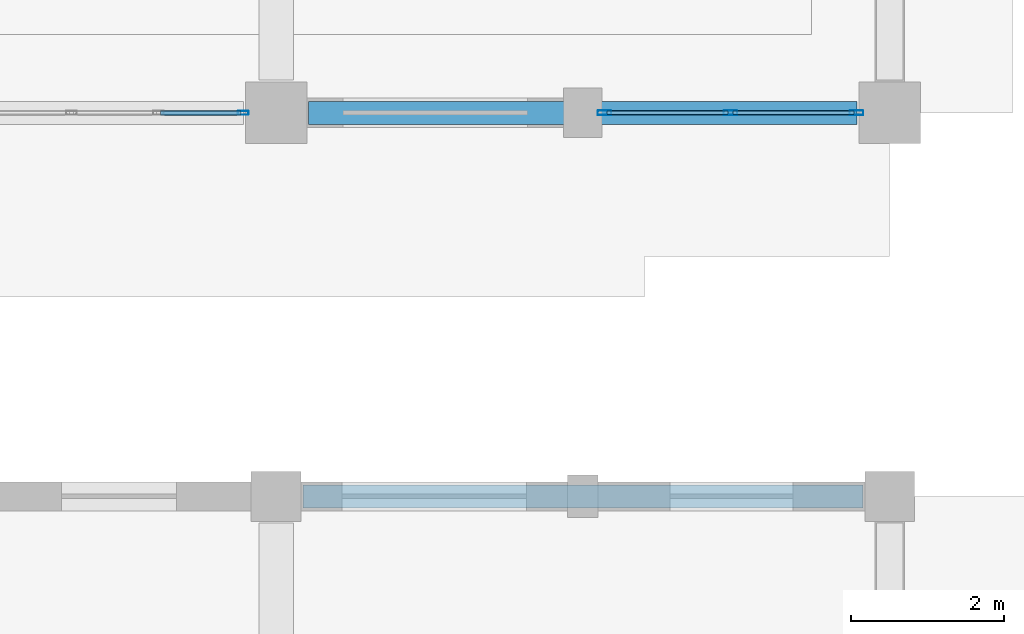
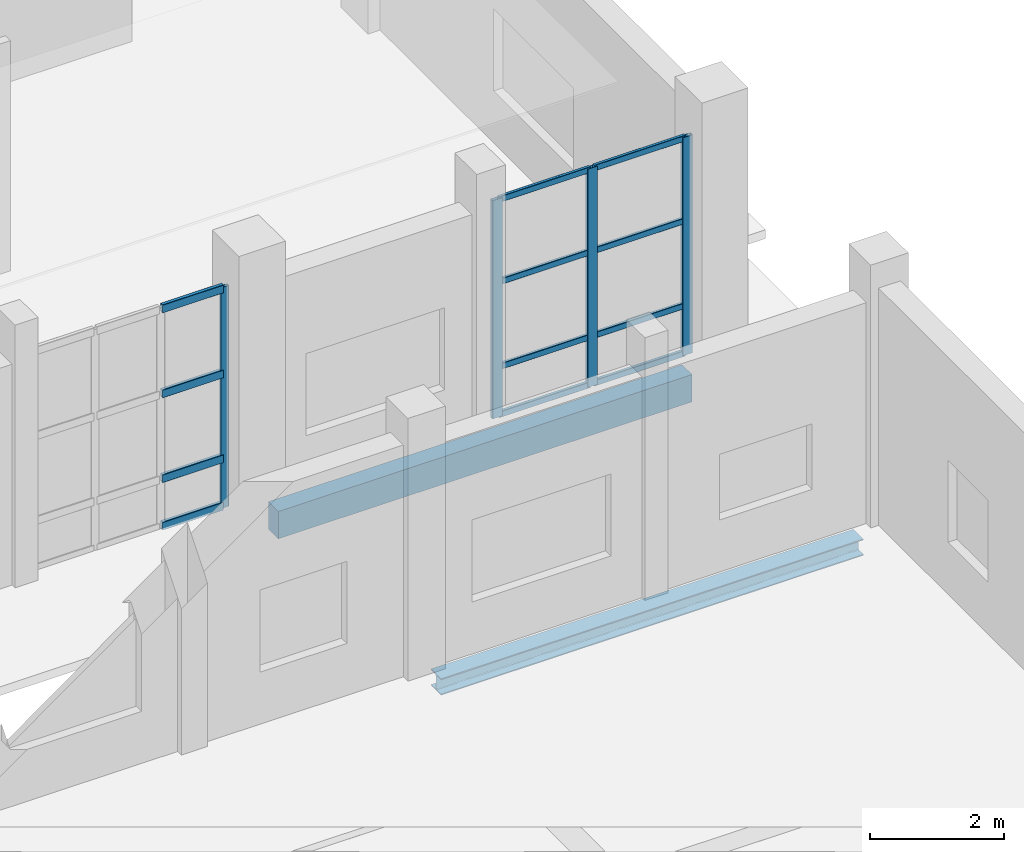
# One storey, part 96 of 156: 16 members, 2 beams, 2 elements without a shape of their own.
"""IFC4 building model written with IfcOpenShell, lengths in metres."""

from ifc_helpers import new_model, si_unit, direction, frame, origin, origin_2d, place, context, subcontext, project, spatial, rectangle, hollow_rectangle, i_section, extrude, material, material_profile, profile_set, type_object, element, aggregate, save


model = new_model("IFC4")

# Units and contexts
model_context = context("Model", 3, precision=1e-05, world=origin(), true_north=direction((0.0, 1.0)))
body_context = subcontext(model_context, "Body", "Model", "MODEL_VIEW")
ifc_project = project(units=[si_unit("LENGTHUNIT", "METRE"), si_unit("AREAUNIT", "SQUARE_METRE"), si_unit("VOLUMEUNIT", "CUBIC_METRE"), si_unit("PLANEANGLEUNIT", "RADIAN"), si_unit("MASSUNIT", "GRAM", prefix="KILO")], contexts=[model_context])

# Site, building, storey
site_placement = place(None, origin())
site = spatial("IfcSite", under=ifc_project, at=site_placement, CompositionType="ELEMENT")
building_placement = place(site_placement, origin())
building = spatial("IfcBuilding", under=site, at=building_placement, Name="Luwemba Playhouse", CompositionType="ELEMENT")
storey_placement = place(building_placement, origin())
storey = spatial("IfcBuildingStorey", under=building, at=storey_placement, Name="L00", CompositionType="ELEMENT", Elevation=0.0)

# Beams
ifc_material_1 = material(Name="Concrete C40/50", Category="concrete")
ifc_material_profile_1 = material_profile(ifc_material_1, rectangle(XDim=0.300048828125, YDim=0.5, at=origin_2d()))
ifc_profile_set_1 = profile_set([ifc_material_profile_1], Name="Concrete C40/50")
beam_type_1 = type_object("IfcBeamType", Name="BM-SP1", PredefinedType="SPANDREL", material=ifc_profile_set_1)
beam_1_placement = place(storey_placement, frame((164.425048828125, 95.0, -0.550048828125), z_axis=(1.0, 0.0, 0.0), x_axis=(0.0, 1.0, 0.0)))
element("IfcBeam", 1, at=beam_1_placement, inside=storey, type_object=beam_type_1, Name="L00 grid girder 0304", PredefinedType="SPANDREL", context=body_context, shape_type="SweptSolid", body=[
    extrude(rectangle(XDim=0.300048828125, YDim=0.5, at=origin_2d()), origin(), (0.0, 0.0, 1.0), 7.14990234375),
])
ifc_material_2 = material(Name="Steel S355", Category="steel")
ifc_material_profile_2 = material_profile(ifc_material_2, i_section(OverallWidth=0.300048828125, OverallDepth=0.300048828125, WebThickness=0.010986328125, FlangeThickness=0.01904296875, FilletRadius=0.027099609375, at=origin_2d()))
ifc_profile_set_2 = profile_set([ifc_material_profile_2], Name="Steel S355")
beam_type_2 = type_object("IfcBeamType", Name="BM-SSP1", PredefinedType="SPANDREL", material=ifc_profile_set_2)
beam_2_placement = place(storey_placement, frame((164.35009765625, 90.0, -0.449951171875), z_axis=(1.0, 0.0, 0.0), x_axis=(0.0, 1.0, 0.0)))
element("IfcBeam", 2, at=beam_2_placement, inside=storey, type_object=beam_type_2, Name="L00 grid girder 0131", PredefinedType="SPANDREL", context=body_context, shape_type="SweptSolid", body=[
    extrude(i_section(OverallWidth=0.300048828125, OverallDepth=0.300048828125, WebThickness=0.010986328125, FlangeThickness=0.01904296875, FilletRadius=0.027099609375, at=origin_2d()), origin(), (0.0, 0.0, 1.0), 7.2998046875),
])

# Curtain wall, members
ifc_material_3 = material(Name="Solar-control double glazing", Category="glass")
curtain_wall_type_1 = type_object("IfcCurtainWallType", Name="CW-CW69", PredefinedType="USERDEFINED", material=ifc_material_3)
curtain_wall_1_placement = place(storey_placement, origin())
curtain_wall_1 = element("IfcCurtainWall", 3, at=curtain_wall_1_placement, inside=storey, type_object=curtain_wall_type_1, Name="L00 V6E unitised curtain wall 088", ObjectType="UNITISED GLAZING", PredefinedType="USERDEFINED")
ifc_material_4 = material(Name="Aluminium 6063-T6", Category="aluminium")
ifc_material_profile_3 = material_profile(ifc_material_4, hollow_rectangle(XDim=0.06494140625, YDim=0.179931640625, WallThickness=0.00439453125, InnerFilletRadius=0.0068359375, OuterFilletRadius=0.01123046875, at=origin_2d()))
ifc_profile_set_3 = profile_set([ifc_material_profile_3], Name="Aluminium 6063-T6")
member_type_1 = type_object("IfcMemberType", Name="CWM-M2", PredefinedType="MULLION", material=ifc_profile_set_3)
member_1_placement = place(storey_placement, frame((171.5673828125, 95.0, 0.0), z_axis=(0.0, 0.0, 1.0), x_axis=(0.0, -1.0, 0.0)))
member_1 = element("IfcMember", 4, at=member_1_placement, type_object=member_type_1, Name="CW69 mullion 1", PredefinedType="MULLION", context=body_context, shape_type="SweptSolid", body=[
    extrude(hollow_rectangle(XDim=0.06494140625, YDim=0.179931640625, WallThickness=0.00439453125, InnerFilletRadius=0.0068359375, OuterFilletRadius=0.01123046875, at=origin_2d()), origin(), (0.0, 0.0, 1.0), 3.985107421875),
])
member_2_placement = place(storey_placement, frame((169.925048828125, 95.0, 0.0), z_axis=(0.0, 0.0, 1.0), x_axis=(0.0, -1.0, 0.0)))
member_2 = element("IfcMember", 5, at=member_2_placement, type_object=member_type_1, Name="CW69 mullion 2", PredefinedType="MULLION", context=body_context, shape_type="SweptSolid", body=[
    extrude(hollow_rectangle(XDim=0.06494140625, YDim=0.179931640625, WallThickness=0.00439453125, InnerFilletRadius=0.0068359375, OuterFilletRadius=0.01123046875, at=origin_2d()), origin(), (0.0, 0.0, 1.0), 3.985107421875),
])
member_3_placement = place(storey_placement, frame((168.282470703125, 95.0, 0.0), z_axis=(0.0, 0.0, 1.0), x_axis=(0.0, -1.0, 0.0)))
member_3 = element("IfcMember", 6, at=member_3_placement, type_object=member_type_1, Name="CW69 mullion 3", PredefinedType="MULLION", context=body_context, shape_type="SweptSolid", body=[
    extrude(hollow_rectangle(XDim=0.06494140625, YDim=0.179931640625, WallThickness=0.00439453125, InnerFilletRadius=0.0068359375, OuterFilletRadius=0.01123046875, at=origin_2d()), origin(), (0.0, 0.0, 1.0), 3.985107421875),
])

# Curtain wall, member
curtain_wall_type_2 = type_object("IfcCurtainWallType", Name="CW-CW30", PredefinedType="USERDEFINED", material=ifc_material_3)
curtain_wall_2_placement = place(storey_placement, origin())
curtain_wall_2 = element("IfcCurtainWall", 7, at=curtain_wall_2_placement, inside=storey, type_object=curtain_wall_type_2, Name="L00 V6E unitised curtain wall 089", ObjectType="UNITISED GLAZING", PredefinedType="USERDEFINED")
ifc_material_profile_4 = material_profile(ifc_material_4, hollow_rectangle(XDim=0.054931640625, YDim=0.139892578125, WallThickness=0.00390625, InnerFilletRadius=0.006103515625, OuterFilletRadius=0.010009765625, at=origin_2d()))
ifc_profile_set_4 = profile_set([ifc_material_profile_4], Name="Aluminium 6063-T6")
member_type_2 = type_object("IfcMemberType", Name="CWM-M3", PredefinedType="MULLION", material=ifc_profile_set_4)
member_4_placement = place(storey_placement, frame((163.572509765625, 95.0, 0.0), z_axis=(0.0, 0.0, 1.0), x_axis=(0.0, -1.0, 0.0)))
member_4 = element("IfcMember", 8, at=member_4_placement, type_object=member_type_2, Name="CW30 mullion 1", PredefinedType="MULLION", context=body_context, shape_type="SweptSolid", body=[
    extrude(hollow_rectangle(XDim=0.054931640625, YDim=0.139892578125, WallThickness=0.00390625, InnerFilletRadius=0.006103515625, OuterFilletRadius=0.010009765625, at=origin_2d()), origin(), (0.0, 0.0, 1.0), 4.034912109375),
])

# Member
ifc_material_profile_5 = material_profile(ifc_material_4, hollow_rectangle(XDim=0.054931640625, YDim=0.110107421875, WallThickness=0.00341796875, InnerFilletRadius=0.00537109375, OuterFilletRadius=0.0087890625, at=origin_2d()))
ifc_profile_set_5 = profile_set([ifc_material_profile_5], Name="Aluminium 6063-T6")
member_type_3 = type_object("IfcMemberType", Name="CWT-T2", PredefinedType="USERDEFINED", material=ifc_profile_set_5)
member_5_placement = place(storey_placement, frame((171.534912109375, 95.0, 0.027587890625), z_axis=(-1.0, 0.0, 0.0), x_axis=(0.0, -1.0, 0.0)))
member_5 = element("IfcMember", 9, at=member_5_placement, type_object=member_type_3, Name="CW69 transom 1.1", ObjectType="TRANSOM", PredefinedType="USERDEFINED", context=body_context, shape_type="SweptSolid", body=[
    extrude(hollow_rectangle(XDim=0.054931640625, YDim=0.110107421875, WallThickness=0.00341796875, InnerFilletRadius=0.00537109375, OuterFilletRadius=0.0087890625, at=origin_2d()), origin(), (0.0, 0.0, 1.0), 1.577392578125),
])

member_6_placement = place(storey_placement, frame((171.534912109375, 95.0, 0.89990234375), z_axis=(-1.0, 0.0, 0.0), x_axis=(0.0, -1.0, 0.0)))
member_6 = element("IfcMember", 10, at=member_6_placement, type_object=member_type_3, Name="CW69 transom 1.2", ObjectType="TRANSOM", PredefinedType="USERDEFINED", context=body_context, shape_type="SweptSolid", body=[
    extrude(hollow_rectangle(XDim=0.054931640625, YDim=0.110107421875, WallThickness=0.00341796875, InnerFilletRadius=0.00537109375, OuterFilletRadius=0.0087890625, at=origin_2d()), origin(), (0.0, 0.0, 1.0), 1.577392578125),
])

member_7_placement = place(storey_placement, frame((171.534912109375, 95.0, 2.449951171875), z_axis=(-1.0, 0.0, 0.0), x_axis=(0.0, -1.0, 0.0)))
member_7 = element("IfcMember", 11, at=member_7_placement, type_object=member_type_3, Name="CW69 transom 1.3", ObjectType="TRANSOM", PredefinedType="USERDEFINED", context=body_context, shape_type="SweptSolid", body=[
    extrude(hollow_rectangle(XDim=0.054931640625, YDim=0.110107421875, WallThickness=0.00341796875, InnerFilletRadius=0.00537109375, OuterFilletRadius=0.0087890625, at=origin_2d()), origin(), (0.0, 0.0, 1.0), 1.577392578125),
])

member_8_placement = place(storey_placement, frame((171.534912109375, 95.0, 3.95751953125), z_axis=(-1.0, 0.0, 0.0), x_axis=(0.0, -1.0, 0.0)))
member_8 = element("IfcMember", 12, at=member_8_placement, type_object=member_type_3, Name="CW69 transom 1.4", ObjectType="TRANSOM", PredefinedType="USERDEFINED", context=body_context, shape_type="SweptSolid", body=[
    extrude(hollow_rectangle(XDim=0.054931640625, YDim=0.110107421875, WallThickness=0.00341796875, InnerFilletRadius=0.00537109375, OuterFilletRadius=0.0087890625, at=origin_2d()), origin(), (0.0, 0.0, 1.0), 1.577392578125),
])

member_9_placement = place(storey_placement, frame((169.892578125, 95.0, 0.027587890625), z_axis=(-1.0, 0.0, 0.0), x_axis=(0.0, -1.0, 0.0)))
member_9 = element("IfcMember", 13, at=member_9_placement, type_object=member_type_3, Name="CW69 transom 2.1", ObjectType="TRANSOM", PredefinedType="USERDEFINED", context=body_context, shape_type="SweptSolid", body=[
    extrude(hollow_rectangle(XDim=0.054931640625, YDim=0.110107421875, WallThickness=0.00341796875, InnerFilletRadius=0.00537109375, OuterFilletRadius=0.0087890625, at=origin_2d()), origin(), (0.0, 0.0, 1.0), 1.57763671875),
])

member_10_placement = place(storey_placement, frame((169.892578125, 95.0, 0.89990234375), z_axis=(-1.0, 0.0, 0.0), x_axis=(0.0, -1.0, 0.0)))
member_10 = element("IfcMember", 14, at=member_10_placement, type_object=member_type_3, Name="CW69 transom 2.2", ObjectType="TRANSOM", PredefinedType="USERDEFINED", context=body_context, shape_type="SweptSolid", body=[
    extrude(hollow_rectangle(XDim=0.054931640625, YDim=0.110107421875, WallThickness=0.00341796875, InnerFilletRadius=0.00537109375, OuterFilletRadius=0.0087890625, at=origin_2d()), origin(), (0.0, 0.0, 1.0), 1.57763671875),
])

member_11_placement = place(storey_placement, frame((169.892578125, 95.0, 2.449951171875), z_axis=(-1.0, 0.0, 0.0), x_axis=(0.0, -1.0, 0.0)))
member_11 = element("IfcMember", 15, at=member_11_placement, type_object=member_type_3, Name="CW69 transom 2.3", ObjectType="TRANSOM", PredefinedType="USERDEFINED", context=body_context, shape_type="SweptSolid", body=[
    extrude(hollow_rectangle(XDim=0.054931640625, YDim=0.110107421875, WallThickness=0.00341796875, InnerFilletRadius=0.00537109375, OuterFilletRadius=0.0087890625, at=origin_2d()), origin(), (0.0, 0.0, 1.0), 1.57763671875),
])

member_12_placement = place(storey_placement, frame((169.892578125, 95.0, 3.95751953125), z_axis=(-1.0, 0.0, 0.0), x_axis=(0.0, -1.0, 0.0)))
member_12 = element("IfcMember", 16, at=member_12_placement, type_object=member_type_3, Name="CW69 transom 2.4", ObjectType="TRANSOM", PredefinedType="USERDEFINED", context=body_context, shape_type="SweptSolid", body=[
    extrude(hollow_rectangle(XDim=0.054931640625, YDim=0.110107421875, WallThickness=0.00341796875, InnerFilletRadius=0.00537109375, OuterFilletRadius=0.0087890625, at=origin_2d()), origin(), (0.0, 0.0, 1.0), 1.57763671875),
])

aggregate(curtain_wall_1, [member_1, member_2, member_3, member_5, member_6, member_7, member_8, member_9, member_10, member_11, member_12])

ifc_material_profile_6 = material_profile(ifc_material_4, hollow_rectangle(XDim=0.06494140625, YDim=0.14990234375, WallThickness=0.00390625, InnerFilletRadius=0.006103515625, OuterFilletRadius=0.010009765625, at=origin_2d()))
ifc_profile_set_6 = profile_set([ifc_material_profile_6], Name="Aluminium 6063-T6")
member_type_4 = type_object("IfcMemberType", Name="CWT-T3", PredefinedType="USERDEFINED", material=ifc_profile_set_6)
member_13_placement = place(storey_placement, frame((163.544921875, 95.0, 0.032470703125), z_axis=(-1.0, 0.0, 0.0), x_axis=(0.0, -1.0, 0.0)))
member_13 = element("IfcMember", 17, at=member_13_placement, type_object=member_type_4, Name="CW30 transom 1.1", ObjectType="TRANSOM", PredefinedType="USERDEFINED", context=body_context, shape_type="SweptSolid", body=[
    extrude(hollow_rectangle(XDim=0.06494140625, YDim=0.14990234375, WallThickness=0.00390625, InnerFilletRadius=0.006103515625, OuterFilletRadius=0.010009765625, at=origin_2d()), origin(), (0.0, 0.0, 1.0), 1.05078125),
])

member_14_placement = place(storey_placement, frame((163.544921875, 95.0, 0.89990234375), z_axis=(-1.0, 0.0, 0.0), x_axis=(0.0, -1.0, 0.0)))
member_14 = element("IfcMember", 18, at=member_14_placement, type_object=member_type_4, Name="CW30 transom 1.2", ObjectType="TRANSOM", PredefinedType="USERDEFINED", context=body_context, shape_type="SweptSolid", body=[
    extrude(hollow_rectangle(XDim=0.06494140625, YDim=0.14990234375, WallThickness=0.00390625, InnerFilletRadius=0.006103515625, OuterFilletRadius=0.010009765625, at=origin_2d()), origin(), (0.0, 0.0, 1.0), 1.05078125),
])

member_15_placement = place(storey_placement, frame((163.544921875, 95.0, 2.449951171875), z_axis=(-1.0, 0.0, 0.0), x_axis=(0.0, -1.0, 0.0)))
member_15 = element("IfcMember", 19, at=member_15_placement, type_object=member_type_4, Name="CW30 transom 1.3", ObjectType="TRANSOM", PredefinedType="USERDEFINED", context=body_context, shape_type="SweptSolid", body=[
    extrude(hollow_rectangle(XDim=0.06494140625, YDim=0.14990234375, WallThickness=0.00390625, InnerFilletRadius=0.006103515625, OuterFilletRadius=0.010009765625, at=origin_2d()), origin(), (0.0, 0.0, 1.0), 1.05078125),
])

member_16_placement = place(storey_placement, frame((163.544921875, 95.0, 4.00244140625), z_axis=(-1.0, 0.0, 0.0), x_axis=(0.0, -1.0, 0.0)))
member_16 = element("IfcMember", 20, at=member_16_placement, type_object=member_type_4, Name="CW30 transom 1.4", ObjectType="TRANSOM", PredefinedType="USERDEFINED", context=body_context, shape_type="SweptSolid", body=[
    extrude(hollow_rectangle(XDim=0.06494140625, YDim=0.14990234375, WallThickness=0.00390625, InnerFilletRadius=0.006103515625, OuterFilletRadius=0.010009765625, at=origin_2d()), origin(), (0.0, 0.0, 1.0), 1.05078125),
])

aggregate(curtain_wall_2, [member_4, member_13, member_14, member_15, member_16])

save(model, "model.ifc")
